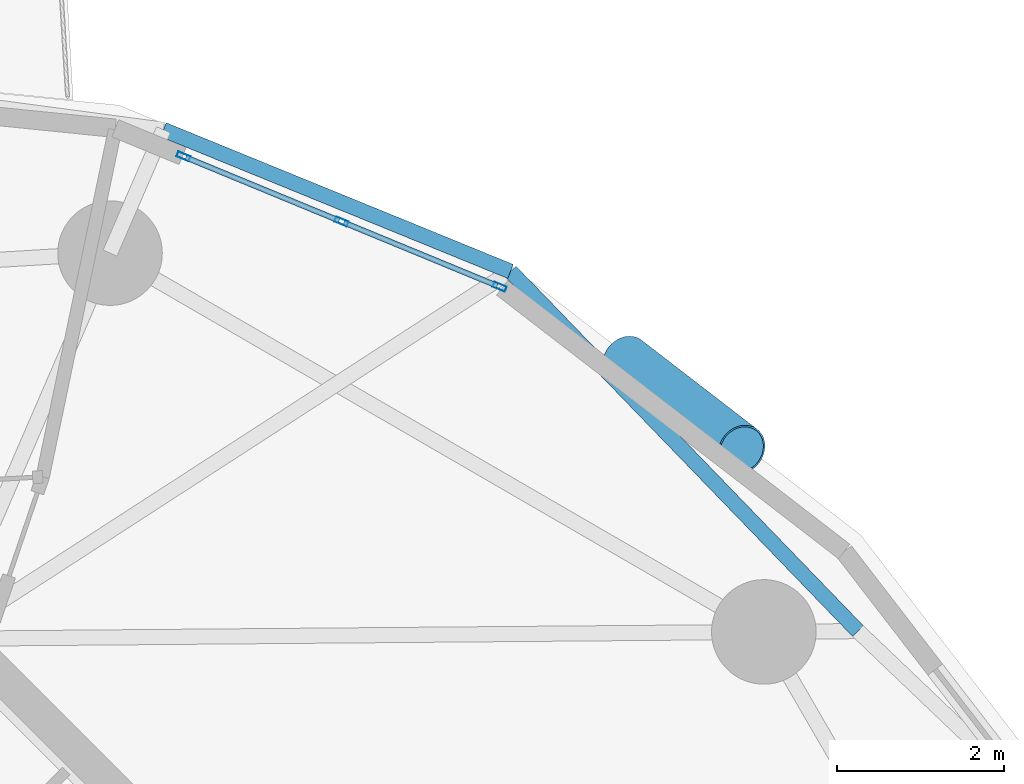
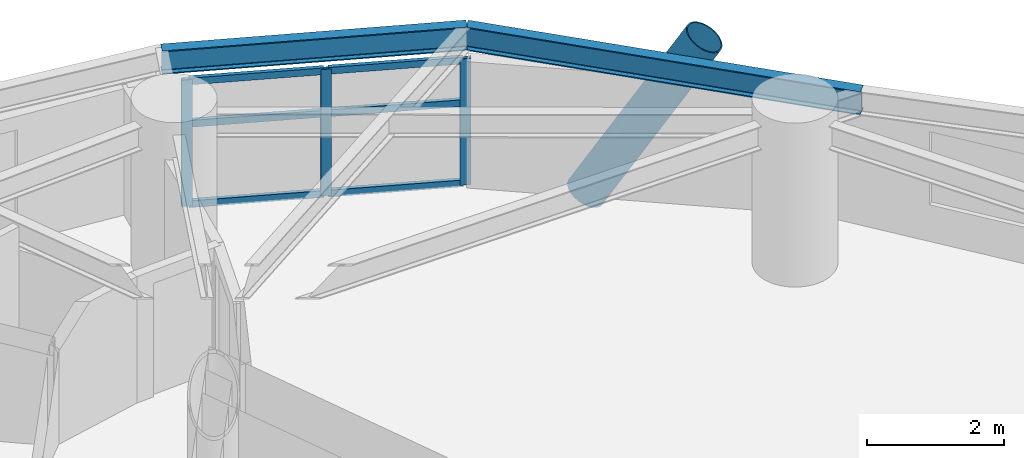
# One storey, part 5 of 16: 10 members, 2 beams, 1 element without a shape of its own.
"""IFC4 building model written with IfcOpenShell, lengths in metres."""

import ifcopenshell
import ifcopenshell.guid

model = None  # the IFC model being written
_history = None  # IfcOwnerHistory: only IFC2X3 demands one
_inside = {}  # id of a spatial element -> (the spatial element, [elements in it])
_under = {}  # id of a project, library or spatial element -> (it, [spatial elements below it])
_declared = {}  # id of a project -> (the project, [libraries it declares])
_typed = {}  # id of a type object -> (the type object, [elements of that type])
_made_of = {}  # id of a material, layer set ... -> (it, [elements and type objects made of it])


def new_model(schema):
    """Start an empty IFC model of exactly this schema.

    Asked for "IFC4X3", IfcOpenShell would pick the latest addendum, in which some entities
    have other attributes; the version numbers below select the first issue.
    IFC2X3 requires an IfcOwnerHistory on every rooted entity: one is made here for all.
    """
    global model, _history
    if schema == "IFC4X3":
        model = ifcopenshell.file(schema_version=(4, 3, 0, 0))
    else:
        model = ifcopenshell.file(schema=schema)
    _inside.clear()
    _under.clear()
    _declared.clear()
    _typed.clear()
    _made_of.clear()
    _history = None
    if model.schema == "IFC2X3":
        org = make("IfcOrganization", Name="unknown")
        user = make(
            "IfcPersonAndOrganization",
            ThePerson=make("IfcPerson", FamilyName="unknown"),
            TheOrganization=org,
        )
        app = make(
            "IfcApplication",
            ApplicationDeveloper=org,
            Version="unknown",
            ApplicationFullName="unknown",
            ApplicationIdentifier="unknown",
        )
        _history = make(
            "IfcOwnerHistory",
            OwningUser=user,
            OwningApplication=app,
            ChangeAction="ADDED",
            CreationDate=0,
        )
    return model


def make(cls, **values):
    """One entity of the class cls with the attributes given. An attribute that is None is left unset."""
    return model.create_entity(
        cls, **{name: value for name, value in values.items() if value is not None}
    )


def rooted(cls, **values):
    """An entity with a GlobalId (a new one), such as an element, a storey or a relation."""
    return make(cls, GlobalId=ifcopenshell.guid.new(), OwnerHistory=_history, **values)


def si_unit(unit_type, name, prefix=None):
    """IfcSIUnit, for example si_unit("LENGTHUNIT", "METRE", prefix="MILLI")."""
    return make("IfcSIUnit", UnitType=unit_type, Prefix=prefix, Name=name)


def assignment(units):
    """IfcUnitAssignment: the units of a project."""
    return None if units is None else make("IfcUnitAssignment", Units=units)


def point(xyz):
    """IfcCartesianPoint."""
    return None if xyz is None else make("IfcCartesianPoint", Coordinates=xyz)


def direction(xyz):
    """IfcDirection."""
    return None if xyz is None else make("IfcDirection", DirectionRatios=xyz)


def frame(location, z_axis=None, x_axis=None):
    """IfcAxis2Placement3D, a coordinate frame: its origin and axes. An axis left out is left unset."""
    return make(
        "IfcAxis2Placement3D",
        Location=point(location),
        Axis=direction(z_axis),
        RefDirection=direction(x_axis),
    )


def frame_2d(location, x_axis=None):
    """IfcAxis2Placement2D, a coordinate frame in the plane: its origin and x axis."""
    return make(
        "IfcAxis2Placement2D", Location=point(location), RefDirection=direction(x_axis)
    )


def origin():
    """The frame at (0, 0, 0) with its axes left unset."""
    return frame((0.0, 0.0, 0.0))


def origin_2d():
    """The frame at (0, 0) in the plane with its x axis left unset."""
    return frame_2d((0.0, 0.0))


def place(relative_to, where):
    """IfcLocalPlacement: puts the frame where relative to a parent placement (None: the world)."""
    return make(
        "IfcLocalPlacement", PlacementRelTo=relative_to, RelativePlacement=where
    )


def context(
    kind, dimensions, precision=None, world=None, true_north=None, identifier=None
):
    """IfcGeometricRepresentationContext, for example the 3D "Model" context."""
    return make(
        "IfcGeometricRepresentationContext",
        ContextIdentifier=identifier,
        ContextType=kind,
        CoordinateSpaceDimension=dimensions,
        Precision=precision,
        WorldCoordinateSystem=world,
        TrueNorth=true_north,
    )


def subcontext(parent, identifier, kind, view, scale=None):
    """IfcGeometricRepresentationSubContext, for example "Body" below "Model"."""
    return make(
        "IfcGeometricRepresentationSubContext",
        ContextIdentifier=identifier,
        ContextType=kind,
        ParentContext=parent,
        TargetScale=scale,
        TargetView=view,
    )


def project(units=None, contexts=None):
    """IfcProject with its units and contexts."""
    return rooted(
        "IfcProject",
        Name="project",
        RepresentationContexts=contexts,
        UnitsInContext=assignment(units),
    )


def spatial(cls, under=None, at=None, **own):
    """A site, building, storey or space (cls), placed at a placement, below another one or the project."""
    s = rooted(cls, ObjectPlacement=at, **own)
    if under is not None:
        _under.setdefault(under.id(), (under, []))[1].append(s)
    return s


def profile(cls, at=None, kind="AREA", **sizes):
    """A parametric profile (cls). Its sizes go by their IFC names, for example OverallWidth=200.0."""
    return make(cls, ProfileType=kind, Position=at, **sizes)


def hollow_rectangle(**sizes):
    """IfcRectangleHollowProfileDef."""
    return profile("IfcRectangleHollowProfileDef", **sizes)


def hollow_circle(**sizes):
    """IfcCircleHollowProfileDef."""
    return profile("IfcCircleHollowProfileDef", **sizes)


def i_section(**sizes):
    """IfcIShapeProfileDef."""
    return profile("IfcIShapeProfileDef", **sizes)


def extrude(swept, where, along, depth):
    """IfcExtrudedAreaSolid: the profile swept, set in the frame where, extruded along a direction by depth."""
    return make(
        "IfcExtrudedAreaSolid",
        SweptArea=swept,
        Position=where,
        ExtrudedDirection=direction(along),
        Depth=depth,
    )


def shape(context_of_items, identifier, shape_type, items):
    """IfcShapeRepresentation: the items that make up one representation, for example the "Body"."""
    return make(
        "IfcShapeRepresentation",
        ContextOfItems=context_of_items,
        RepresentationIdentifier=identifier,
        RepresentationType=shape_type,
        Items=items,
    )


def material(Name=None, Category=None):
    """IfcMaterial."""
    return make("IfcMaterial", Name=Name, Category=Category)


def layer(
    of_material, thickness, ventilated=None, Name=None, Category=None, Priority=None
):
    """IfcMaterialLayer: one layer of a wall or slab, of a material (None: an air gap)."""
    return make(
        "IfcMaterialLayer",
        Material=of_material,
        LayerThickness=thickness,
        IsVentilated=ventilated,
        Name=Name,
        Category=Category,
        Priority=Priority,
    )


def layer_set(layers, Name=None):
    """IfcMaterialLayerSet."""
    return make("IfcMaterialLayerSet", MaterialLayers=layers, LayerSetName=Name)


def material_profile(
    of_material, cross_section, Name=None, Category=None, Priority=None
):
    """IfcMaterialProfile: a cross section and its material."""
    return make(
        "IfcMaterialProfile",
        Name=Name,
        Material=of_material,
        Profile=cross_section,
        Priority=Priority,
        Category=Category,
    )


def profile_set(profiles, Name=None, composite=None):
    """IfcMaterialProfileSet."""
    return make(
        "IfcMaterialProfileSet",
        Name=Name,
        MaterialProfiles=profiles,
        CompositeProfile=composite,
    )


def made_of(thing, what):
    """Note that an element or type object is made of a material, layer set ...; save() writes the relation."""
    if what is not None:
        _made_of.setdefault(what.id(), (what, []))[1].append(thing)
    return thing


def type_object(cls, material=None, **own):
    """A type object (cls), such as IfcWallType, which elements share."""
    return made_of(rooted(cls, **own), material)


def element(
    cls,
    number,
    at=None,
    inside=None,
    cuts=None,
    type_object=None,
    material=None,
    context=None,
    identifier="Body",
    shape_type=None,
    held_by="IfcProductDefinitionShape",
    body=None,
    shapes=None,
    **own,
):
    """One element of the class cls, such as IfcWall. Its Tag is "e" and its number.

    at: its placement. inside: the storey or other place that contains it. cuts: it is an
    opening in that element (IfcRelVoidsElement). A single representation is given by context,
    identifier, shape_type and body (its items); several are given by shapes. held_by: the class
    of the entity that holds the representations. save() writes the other relations.
    """
    e = rooted(cls, Tag="e%d" % number, ObjectPlacement=at, **own)
    if body is not None:
        shapes = [shape(context, identifier, shape_type, body)]
    if shapes is not None:
        e.Representation = make(held_by, Representations=shapes)
    if inside is not None:
        _inside.setdefault(inside.id(), (inside, []))[1].append(e)
    if cuts is not None:
        rooted(
            "IfcRelVoidsElement", RelatingBuildingElement=cuts, RelatedOpeningElement=e
        )
    if type_object is not None:
        _typed.setdefault(type_object.id(), (type_object, []))[1].append(e)
    return made_of(e, material)


def aggregate(whole, parts):
    """IfcRelAggregates: a whole, such as a stair, and the parts it consists of."""
    return rooted("IfcRelAggregates", RelatingObject=whole, RelatedObjects=parts)


def save(model, path):
    """Write the relations noted so far, then the file.

    IfcRelAggregates (storeys below a building ...), IfcRelContainedInSpatialStructure (elements
    in a storey), IfcRelDefinesByType, IfcRelAssociatesMaterial and IfcRelDeclares: one each for
    every whole, place, type object, material and project.
    """
    for whole, parts in _under.values():
        aggregate(whole, parts)
    for where, things in _inside.values():
        rooted(
            "IfcRelContainedInSpatialStructure",
            RelatedElements=things,
            RelatingStructure=where,
        )
    for kind, things in _typed.values():
        rooted("IfcRelDefinesByType", RelatedObjects=things, RelatingType=kind)
    for what, things in _made_of.values():
        rooted("IfcRelAssociatesMaterial", RelatedObjects=things, RelatingMaterial=what)
    for by, libraries in _declared.values():
        rooted("IfcRelDeclares", RelatingContext=by, RelatedDefinitions=libraries)
    model.write(path)


model = new_model("IFC4")

# Units and contexts
model_context = context("Model", 3, precision=1e-05, world=origin(), true_north=direction((0.0, 1.0)))
body_context = subcontext(model_context, "Body", "Model", "MODEL_VIEW")
ifc_project = project(units=[si_unit("LENGTHUNIT", "METRE"), si_unit("AREAUNIT", "SQUARE_METRE"), si_unit("VOLUMEUNIT", "CUBIC_METRE"), si_unit("PLANEANGLEUNIT", "RADIAN"), si_unit("MASSUNIT", "GRAM", prefix="KILO")], contexts=[model_context])

# Site, building, storey
site_placement = place(None, origin())
site = spatial("IfcSite", under=ifc_project, at=site_placement, CompositionType="ELEMENT")
building_placement = place(site_placement, origin())
building = spatial("IfcBuilding", under=site, at=building_placement, Name="Cununo Teusaquillo Station Towers", CompositionType="ELEMENT")
storey_placement = place(building_placement, frame((0.0, 0.0, 180.699951171875)))
storey = spatial("IfcBuildingStorey", under=building, at=storey_placement, Name="L57", CompositionType="ELEMENT", Elevation=180.699951171875)

# Beams
ifc_material_1 = material(Name="Steel ASTM A572 Grade 50", Category="steel")
ifc_material_profile_1 = material_profile(ifc_material_1, i_section(OverallWidth=0.180908203125, OverallDepth=0.4169921875, WebThickness=0.010986328125, FlangeThickness=0.018310546875, FilletRadius=0.012939453125, at=origin_2d()), Name="W16X57")
ifc_profile_set_1 = profile_set([ifc_material_profile_1], Name="Steel ASTM A572 Grade 50")
beam_type = type_object("IfcBeamType", Name="BM-RING-Z3", PredefinedType="SPANDREL", material=ifc_profile_set_1)
beam_1_placement = place(storey_placement, frame((67.232666015625, 33.116455078125, 2.4814453125), z_axis=(-0.694791256552, 0.719211450005, 0.0), x_axis=(-0.719211450005, -0.694791256552, 0.0)))
element("IfcBeam", 1, at=beam_1_placement, inside=storey, type_object=beam_type, Name="L57 Tower B Spandrel Ring Beam 01", PredefinedType="SPANDREL", context=body_context, shape_type="SweptSolid", body=[
    extrude(i_section(OverallWidth=0.180908203125, OverallDepth=0.4169921875, WebThickness=0.010986328125, FlangeThickness=0.018310546875, FilletRadius=0.012939453125, at=origin_2d()), origin(), (0.0, 0.0, 1.0), 5.978515625),
])
beam_2_placement = place(storey_placement, frame((63.078857421875, 37.416259765625, 2.4814453125), z_axis=(-0.925823525235, 0.377956082264, 0.0), x_axis=(-0.377956082264, -0.925823525235, 0.0)))
element("IfcBeam", 2, at=beam_2_placement, inside=storey, type_object=beam_type, Name="L57 Tower B Spandrel Ring Beam 02", PredefinedType="SPANDREL", context=body_context, shape_type="SweptSolid", body=[
    extrude(i_section(OverallWidth=0.180908203125, OverallDepth=0.4169921875, WebThickness=0.010986328125, FlangeThickness=0.018310546875, FilletRadius=0.012939453125, at=origin_2d()), origin(), (0.0, 0.0, 1.0), 4.481689453125),
])

# Curtain wall, members
ifc_material_2 = material(Name="Operable acoustic tinted low-E double glazing", Category="glass")
ifc_layer = layer(ifc_material_2, 0.179931640625)
ifc_layer_set = layer_set([ifc_layer], Name="Operable acoustic tinted low-E double glazing")
curtain_wall_type = type_object("IfcCurtainWallType", Name="CW-SYS-06", PredefinedType="USERDEFINED", material=ifc_layer_set)
curtain_wall_placement = place(storey_placement, origin())
curtain_wall = element("IfcCurtainWall", 3, at=curtain_wall_placement, inside=storey, type_object=curtain_wall_type, Name="L57 Tower B Facade Curtain Wall C01", ObjectType="OPERABLE GLAZING", PredefinedType="USERDEFINED")
ifc_material_3 = material(Name="Anodised dark bronze aluminium EN AW-6063-T6", Category="aluminium")
ifc_material_profile_2 = material_profile(ifc_material_3, hollow_rectangle(XDim=0.06494140625, YDim=0.159912109375, WallThickness=0.00390625, at=origin_2d()), Name="CW-MULL-65x160")
ifc_profile_set_2 = profile_set([ifc_material_profile_2], Name="Anodised dark bronze aluminium EN AW-6063-T6")
member_type_1 = type_object("IfcMemberType", Name="CWM-160", PredefinedType="MULLION", material=ifc_profile_set_2)
member_1_placement = place(storey_placement, frame((59.16943359375, 38.791015625, 0.0), z_axis=(0.0, 0.0, 1.0), x_axis=(0.381229322376, 0.924480504803, 0.0)))
member_1 = element("IfcMember", 4, at=member_1_placement, type_object=member_type_1, Name="CW-06 mullion 1", PredefinedType="MULLION", context=body_context, shape_type="SweptSolid", body=[
    extrude(hollow_rectangle(XDim=0.06494140625, YDim=0.159912109375, WallThickness=0.00390625, at=origin_2d()), origin(), (0.0, 0.0, 1.0), 2.2451171875),
])
member_2_placement = place(storey_placement, frame((61.05908203125, 38.011962890625, 0.0), z_axis=(0.0, 0.0, 1.0), x_axis=(0.381229322376, 0.924480504803, 0.0)))
member_2 = element("IfcMember", 5, at=member_2_placement, type_object=member_type_1, Name="CW-06 mullion 2", PredefinedType="MULLION", context=body_context, shape_type="SweptSolid", body=[
    extrude(hollow_rectangle(XDim=0.06494140625, YDim=0.159912109375, WallThickness=0.00390625, at=origin_2d()), origin(), (0.0, 0.0, 1.0), 2.2451171875),
])
member_3_placement = place(storey_placement, frame((62.948974609375, 37.232666015625, 0.0), z_axis=(0.0, 0.0, 1.0), x_axis=(0.381229322376, 0.924480504803, 0.0)))
member_3 = element("IfcMember", 6, at=member_3_placement, type_object=member_type_1, Name="CW-06 mullion 3", PredefinedType="MULLION", context=body_context, shape_type="SweptSolid", body=[
    extrude(hollow_rectangle(XDim=0.06494140625, YDim=0.159912109375, WallThickness=0.00390625, at=origin_2d()), origin(), (0.0, 0.0, 1.0), 2.2451171875),
])
ifc_material_4 = material(Name="Anodised dark bronze aluminium EN AW-6063-T6", Category="aluminium")
ifc_material_profile_3 = material_profile(ifc_material_4, hollow_rectangle(XDim=0.06494140625, YDim=0.1201171875, WallThickness=0.00390625, at=origin_2d()), Name="CW-TRAN-65x120")
ifc_profile_set_3 = profile_set([ifc_material_profile_3], Name="Anodised dark bronze aluminium EN AW-6063-T6")
member_type_2 = type_object("IfcMemberType", Name="CWT-120", PredefinedType="USERDEFINED", material=ifc_profile_set_3)
member_4_placement = place(storey_placement, frame((59.199462890625, 38.77880859375, 0.032470703125), z_axis=(0.924450559311, -0.381301932056, 0.0), x_axis=(0.381301932056, 0.924450559311, 0.0)))
member_4 = element("IfcMember", 7, at=member_4_placement, type_object=member_type_2, Name="CW-06 transom 1.1", ObjectType="TRANSOM", PredefinedType="USERDEFINED", context=body_context, shape_type="SweptSolid", body=[
    extrude(hollow_rectangle(XDim=0.06494140625, YDim=0.1201171875, WallThickness=0.00390625, at=origin_2d()), origin(), (0.0, 0.0, 1.0), 1.97900390625),
])
member_5_placement = place(storey_placement, frame((59.199462890625, 38.77880859375, 1.458984375), z_axis=(0.924450559311, -0.381301932056, 0.0), x_axis=(0.381301932056, 0.924450559311, 0.0)))
member_5 = element("IfcMember", 8, at=member_5_placement, type_object=member_type_2, Name="CW-06 transom 1.2", ObjectType="TRANSOM", PredefinedType="USERDEFINED", context=body_context, shape_type="SweptSolid", body=[
    extrude(hollow_rectangle(XDim=0.06494140625, YDim=0.1201171875, WallThickness=0.00390625, at=origin_2d()), origin(), (0.0, 0.0, 1.0), 1.97900390625),
])
member_6_placement = place(storey_placement, frame((59.199462890625, 38.77880859375, 2.212646484375), z_axis=(0.924450559311, -0.381301932056, 0.0), x_axis=(0.381301932056, 0.924450559311, 0.0)))
member_6 = element("IfcMember", 9, at=member_6_placement, type_object=member_type_2, Name="CW-06 transom 1.3", ObjectType="TRANSOM", PredefinedType="USERDEFINED", context=body_context, shape_type="SweptSolid", body=[
    extrude(hollow_rectangle(XDim=0.06494140625, YDim=0.1201171875, WallThickness=0.00390625, at=origin_2d()), origin(), (0.0, 0.0, 1.0), 1.97900390625),
])
member_7_placement = place(storey_placement, frame((61.089111328125, 37.99951171875, 0.032470703125), z_axis=(0.924450559311, -0.381301932056, 0.0), x_axis=(0.381301932056, 0.924450559311, 0.0)))
member_7 = element("IfcMember", 10, at=member_7_placement, type_object=member_type_2, Name="CW-06 transom 2.1", ObjectType="TRANSOM", PredefinedType="USERDEFINED", context=body_context, shape_type="SweptSolid", body=[
    extrude(hollow_rectangle(XDim=0.06494140625, YDim=0.1201171875, WallThickness=0.00390625, at=origin_2d()), origin(), (0.0, 0.0, 1.0), 1.97900390625),
])
member_8_placement = place(storey_placement, frame((61.089111328125, 37.99951171875, 1.458984375), z_axis=(0.924450559311, -0.381301932056, 0.0), x_axis=(0.381301932056, 0.924450559311, 0.0)))
member_8 = element("IfcMember", 11, at=member_8_placement, type_object=member_type_2, Name="CW-06 transom 2.2", ObjectType="TRANSOM", PredefinedType="USERDEFINED", context=body_context, shape_type="SweptSolid", body=[
    extrude(hollow_rectangle(XDim=0.06494140625, YDim=0.1201171875, WallThickness=0.00390625, at=origin_2d()), origin(), (0.0, 0.0, 1.0), 1.97900390625),
])
member_9_placement = place(storey_placement, frame((61.089111328125, 37.99951171875, 2.212646484375), z_axis=(0.924450559311, -0.381301932056, 0.0), x_axis=(0.381301932056, 0.924450559311, 0.0)))
member_9 = element("IfcMember", 12, at=member_9_placement, type_object=member_type_2, Name="CW-06 transom 2.3", ObjectType="TRANSOM", PredefinedType="USERDEFINED", context=body_context, shape_type="SweptSolid", body=[
    extrude(hollow_rectangle(XDim=0.06494140625, YDim=0.1201171875, WallThickness=0.00390625, at=origin_2d()), origin(), (0.0, 0.0, 1.0), 1.97900390625),
])
aggregate(curtain_wall, [member_1, member_2, member_3, member_4, member_5, member_6, member_7, member_8, member_9])

# Member
ifc_material_5 = material(Name="Steel EN 10025-2 S355J2", Category="steel")
ifc_material_profile_4 = material_profile(ifc_material_5, hollow_circle(Radius=0.304931640625, WallThickness=0.02001953125, at=origin_2d()), Name="CHS 610x20")
ifc_profile_set_4 = profile_set([ifc_material_profile_4], Name="Steel EN 10025-2 S355J2")
member_type_3 = type_object("IfcMemberType", Name="MBR-DIAG-Z3", PredefinedType="BRACE", material=ifc_profile_set_4)
member_10_placement = place(storey_placement, frame((64.460205078125, 36.35205078125, -0.139892578125), z_axis=(0.407241996749, -0.313761283942, 0.857734115436), x_axis=(0.610319422527, 0.792155415614, 0.0)))
element("IfcMember", 13, at=member_10_placement, inside=storey, type_object=member_type_3, Name="L57 Tower B Folded-Zigzag Diagrid Tube C00", PredefinedType="BRACE", context=body_context, shape_type="SweptSolid", body=[
    extrude(hollow_circle(Radius=0.304931640625, WallThickness=0.02001953125, at=origin_2d()), origin(), (0.0, 0.0, 1.0), 3.392578125),
])

save(model, "model.ifc")
